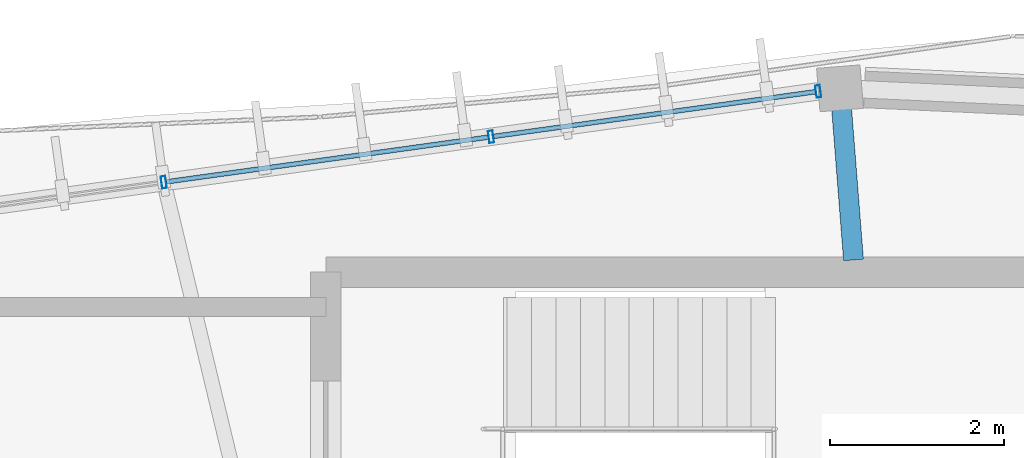
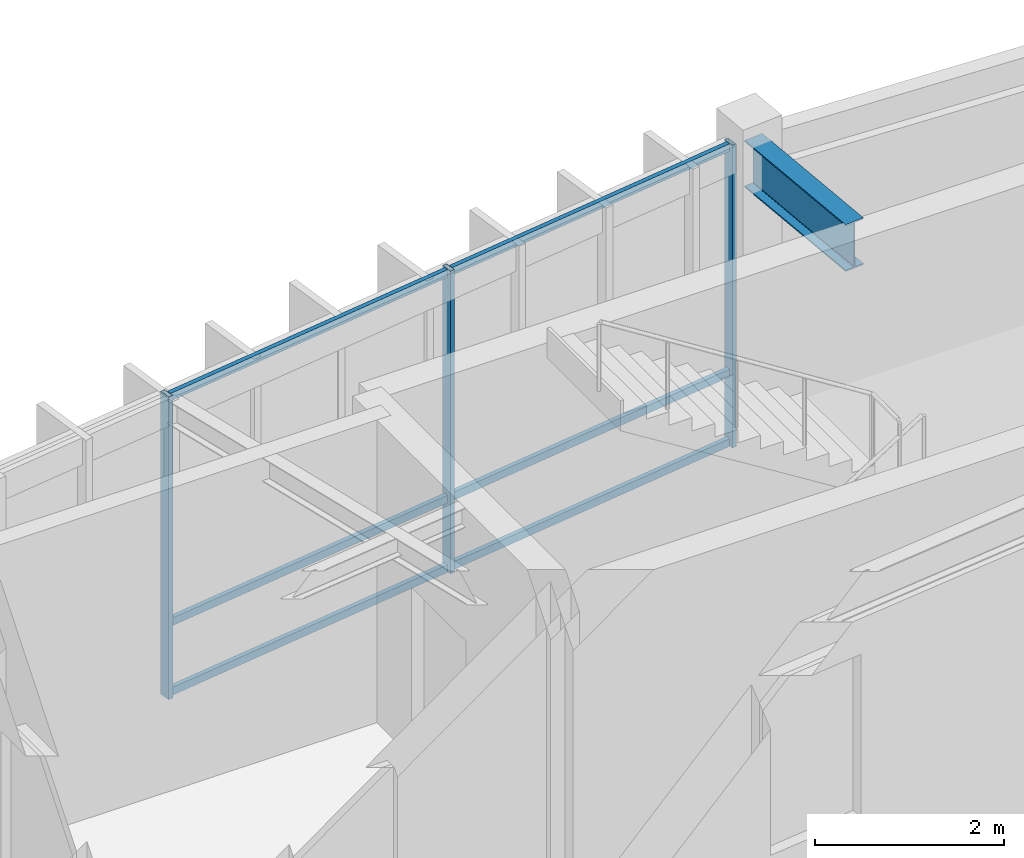
# One storey, part 38 of 78: 9 members, 1 beam, 1 element without a shape of its own.
"""IFC4 building model written with IfcOpenShell, lengths in metres."""

from ifc_helpers import new_model, si_unit, direction, frame, origin, origin_2d, place, context, subcontext, project, spatial, hollow_rectangle, i_section, extrude, material, material_profile, profile_set, type_object, element, aggregate, save


model = new_model("IFC4")

# Units and contexts
model_context = context("Model", 3, precision=1e-05, world=origin(), true_north=direction((0.0, 1.0)))
body_context = subcontext(model_context, "Body", "Model", "MODEL_VIEW")
ifc_project = project(units=[si_unit("LENGTHUNIT", "METRE"), si_unit("AREAUNIT", "SQUARE_METRE"), si_unit("VOLUMEUNIT", "CUBIC_METRE"), si_unit("PLANEANGLEUNIT", "RADIAN"), si_unit("MASSUNIT", "GRAM", prefix="KILO"), si_unit("THERMODYNAMICTEMPERATUREUNIT", "KELVIN"), si_unit("POWERUNIT", "WATT")], contexts=[model_context])

# Site, building, storey
site_placement = place(None, origin())
site = spatial("IfcSite", under=ifc_project, at=site_placement, CompositionType="ELEMENT")
building_placement = place(site_placement, origin())
building = spatial("IfcBuilding", under=site, at=building_placement, Name="Darbajah Civic Hall", CompositionType="ELEMENT")
storey_placement = place(building_placement, frame((0.0, 0.0, 26.39990234375)))
storey = spatial("IfcBuildingStorey", under=building, at=storey_placement, Name="L06", CompositionType="ELEMENT", Elevation=26.39990234375)

# Curtain wall, members
ifc_material_1 = material(Name="Anodised Bronze Aluminium and Low-E Glazing", Category="aluminium")
curtain_wall_type = type_object("IfcCurtainWallType", Name="Unitised Curtain Wall CW-32 15200x3900", PredefinedType="USERDEFINED", material=ifc_material_1)
curtain_wall_placement = place(storey_placement, origin())
curtain_wall = element("IfcCurtainWall", 1, at=curtain_wall_placement, inside=storey, type_object=curtain_wall_type, Name="L06 unitised curtain wall CW-V1O-L06-05", ObjectType="UNITISED CURTAIN WALL", PredefinedType="USERDEFINED")
ifc_material_2 = material(Name="Anodised Bronze Aluminium", Category="aluminium")
ifc_material_profile_1 = material_profile(ifc_material_2, hollow_rectangle(XDim=0.054931640625, YDim=0.139892578125, WallThickness=0.003173828125, at=origin_2d()), Name="ALU MULLION 55x140")
ifc_profile_set_1 = profile_set([ifc_material_profile_1], Name="Anodised Bronze Aluminium")
member_type_1 = type_object("IfcMemberType", Name="ALU MULLION 55x140", PredefinedType="MULLION", material=ifc_profile_set_1)
member_1_placement = place(storey_placement, frame((84.84912109375, 119.17431640625, 0.0), z_axis=(0.0, 0.0, 1.0), x_axis=(-0.990485459553, -0.137617420457, 0.0)))
member_1 = element("IfcMember", 2, at=member_1_placement, type_object=member_type_1, Name="CW-V1O-L06-05 mullion 1", PredefinedType="MULLION", context=body_context, shape_type="SweptSolid", body=[
    extrude(hollow_rectangle(XDim=0.054931640625, YDim=0.139892578125, WallThickness=0.003173828125, at=origin_2d()), origin(), (0.0, 0.0, 1.0), 3.920166015625),
])
member_2_placement = place(storey_placement, frame((81.094970703125, 118.653076171875, 0.0), z_axis=(0.0, 0.0, 1.0), x_axis=(-0.990485459553, -0.137617420457, 0.0)))
member_2 = element("IfcMember", 3, at=member_2_placement, type_object=member_type_1, Name="CW-V1O-L06-05 mullion 2", PredefinedType="MULLION", context=body_context, shape_type="SweptSolid", body=[
    extrude(hollow_rectangle(XDim=0.054931640625, YDim=0.139892578125, WallThickness=0.003173828125, at=origin_2d()), origin(), (0.0, 0.0, 1.0), 3.920166015625),
])
member_3_placement = place(storey_placement, frame((77.3408203125, 118.1318359375, 0.0), z_axis=(0.0, 0.0, 1.0), x_axis=(-0.990485459553, -0.137617420457, 0.0)))
member_3 = element("IfcMember", 4, at=member_3_placement, type_object=member_type_1, Name="CW-V1O-L06-05 mullion 3", PredefinedType="MULLION", context=body_context, shape_type="SweptSolid", body=[
    extrude(hollow_rectangle(XDim=0.054931640625, YDim=0.139892578125, WallThickness=0.003173828125, at=origin_2d()), origin(), (0.0, 0.0, 1.0), 3.920166015625),
])
ifc_material_profile_2 = material_profile(ifc_material_2, hollow_rectangle(XDim=0.054931640625, YDim=0.10009765625, WallThickness=0.0029296875, at=origin_2d()), Name="ALU TRANSOM 55x100")
ifc_profile_set_2 = profile_set([ifc_material_profile_2], Name="Anodised Bronze Aluminium")
member_type_2 = type_object("IfcMemberType", Name="ALU TRANSOM 55x100", PredefinedType="USERDEFINED", material=ifc_profile_set_2)
member_4_placement = place(storey_placement, frame((84.81689453125, 119.169921875, 0.050048828125), z_axis=(-0.990492521242, -0.137566585197, 0.0), x_axis=(0.137566585197, -0.990492521242, 0.0)))
member_4 = element("IfcMember", 5, at=member_4_placement, type_object=member_type_2, Name="CW-V1O-L06-05 transom 1.1", ObjectType="TRANSOM", PredefinedType="USERDEFINED", context=body_context, shape_type="SweptSolid", body=[
    extrude(hollow_rectangle(XDim=0.054931640625, YDim=0.10009765625, WallThickness=0.0029296875, at=origin_2d()), origin(), (0.0, 0.0, 1.0), 3.72509765625),
])
member_5_placement = place(storey_placement, frame((84.81689453125, 119.169921875, 0.9501953125), z_axis=(-0.990492521242, -0.137566585197, 0.0), x_axis=(0.137566585197, -0.990492521242, 0.0)))
member_5 = element("IfcMember", 6, at=member_5_placement, type_object=member_type_2, Name="CW-V1O-L06-05 transom 1.2", ObjectType="TRANSOM", PredefinedType="USERDEFINED", context=body_context, shape_type="SweptSolid", body=[
    extrude(hollow_rectangle(XDim=0.054931640625, YDim=0.10009765625, WallThickness=0.0029296875, at=origin_2d()), origin(), (0.0, 0.0, 1.0), 3.72509765625),
])
member_6_placement = place(storey_placement, frame((84.81689453125, 119.169921875, 3.8701171875), z_axis=(-0.990492521242, -0.137566585197, 0.0), x_axis=(0.137566585197, -0.990492521242, 0.0)))
member_6 = element("IfcMember", 7, at=member_6_placement, type_object=member_type_2, Name="CW-V1O-L06-05 transom 1.3", ObjectType="TRANSOM", PredefinedType="USERDEFINED", context=body_context, shape_type="SweptSolid", body=[
    extrude(hollow_rectangle(XDim=0.054931640625, YDim=0.10009765625, WallThickness=0.0029296875, at=origin_2d()), origin(), (0.0, 0.0, 1.0), 3.72509765625),
])
member_7_placement = place(storey_placement, frame((81.062744140625, 118.648681640625, 0.050048828125), z_axis=(-0.990492521242, -0.137566585197, 0.0), x_axis=(0.137566585197, -0.990492521242, 0.0)))
member_7 = element("IfcMember", 8, at=member_7_placement, type_object=member_type_2, Name="CW-V1O-L06-05 transom 2.1", ObjectType="TRANSOM", PredefinedType="USERDEFINED", context=body_context, shape_type="SweptSolid", body=[
    extrude(hollow_rectangle(XDim=0.054931640625, YDim=0.10009765625, WallThickness=0.0029296875, at=origin_2d()), origin(), (0.0, 0.0, 1.0), 3.72509765625),
])
member_8_placement = place(storey_placement, frame((81.062744140625, 118.648681640625, 0.9501953125), z_axis=(-0.990492521242, -0.137566585197, 0.0), x_axis=(0.137566585197, -0.990492521242, 0.0)))
member_8 = element("IfcMember", 9, at=member_8_placement, type_object=member_type_2, Name="CW-V1O-L06-05 transom 2.2", ObjectType="TRANSOM", PredefinedType="USERDEFINED", context=body_context, shape_type="SweptSolid", body=[
    extrude(hollow_rectangle(XDim=0.054931640625, YDim=0.10009765625, WallThickness=0.0029296875, at=origin_2d()), origin(), (0.0, 0.0, 1.0), 3.72509765625),
])
member_9_placement = place(storey_placement, frame((81.062744140625, 118.648681640625, 3.8701171875), z_axis=(-0.990492521242, -0.137566585197, 0.0), x_axis=(0.137566585197, -0.990492521242, 0.0)))
member_9 = element("IfcMember", 10, at=member_9_placement, type_object=member_type_2, Name="CW-V1O-L06-05 transom 2.3", ObjectType="TRANSOM", PredefinedType="USERDEFINED", context=body_context, shape_type="SweptSolid", body=[
    extrude(hollow_rectangle(XDim=0.054931640625, YDim=0.10009765625, WallThickness=0.0029296875, at=origin_2d()), origin(), (0.0, 0.0, 1.0), 3.72509765625),
])
aggregate(curtain_wall, [member_1, member_2, member_3, member_4, member_5, member_6, member_7, member_8, member_9])

# Beam
ifc_material_3 = material(Name="Steel S355JR", Category="steel")
ifc_material_profile_3 = material_profile(ifc_material_3, i_section(OverallWidth=0.228271484375, OverallDepth=0.607666015625, WebThickness=0.010986328125, FlangeThickness=0.017333984375, FilletRadius=0.0126953125, at=origin_2d()), Name="UB 610x229x113")
ifc_profile_set_3 = profile_set([ifc_material_profile_3], Name="Steel S355JR")
beam_type = type_object("IfcBeamType", Name="UB 610x229x113", PredefinedType="BEAM", material=ifc_profile_set_3)
beam_placement = place(storey_placement, frame((85.253662109375, 117.239990234375, 3.6162109375), z_axis=(-0.078449812785, 0.996918064273, 0.0), x_axis=(-0.996918064273, -0.078449812785, 0.0)))
element("IfcBeam", 11, at=beam_placement, inside=storey, type_object=beam_type, Name="L06 beam SB-610", PredefinedType="BEAM", context=body_context, shape_type="SweptSolid", body=[
    extrude(i_section(OverallWidth=0.228271484375, OverallDepth=0.607666015625, WebThickness=0.010986328125, FlangeThickness=0.017333984375, FilletRadius=0.0126953125, at=origin_2d()), origin(), (0.0, 0.0, 1.0), 1.895263671875),
])

save(model, "model.ifc")
